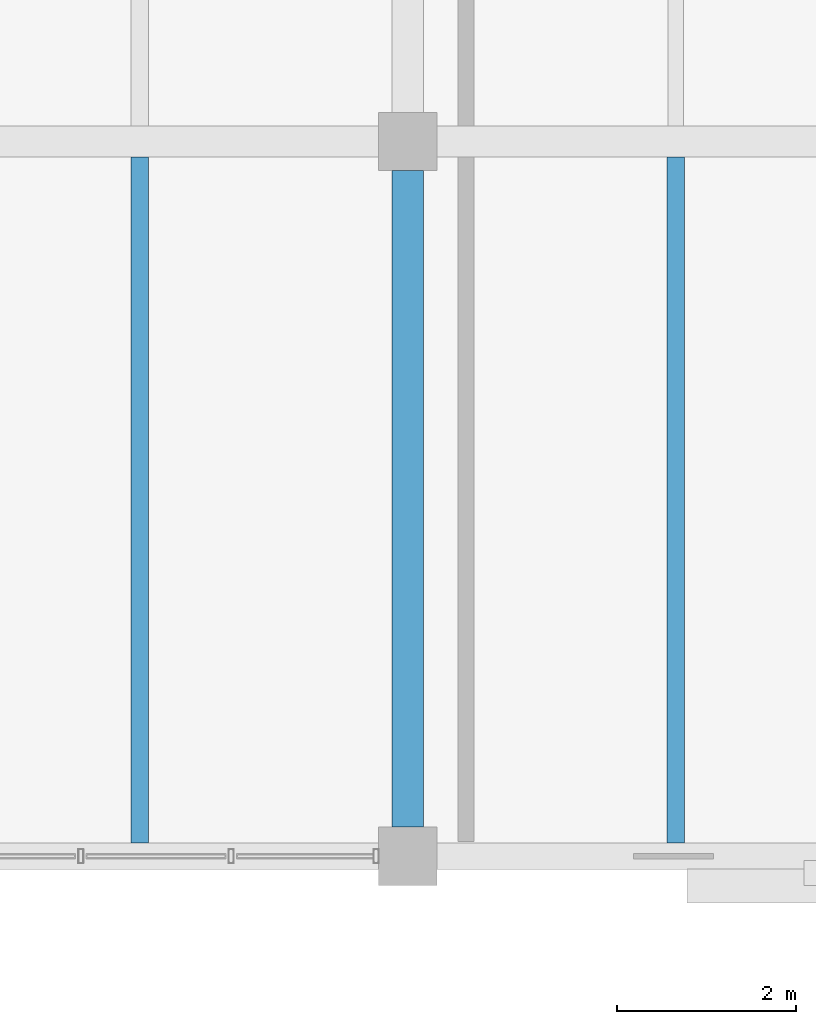
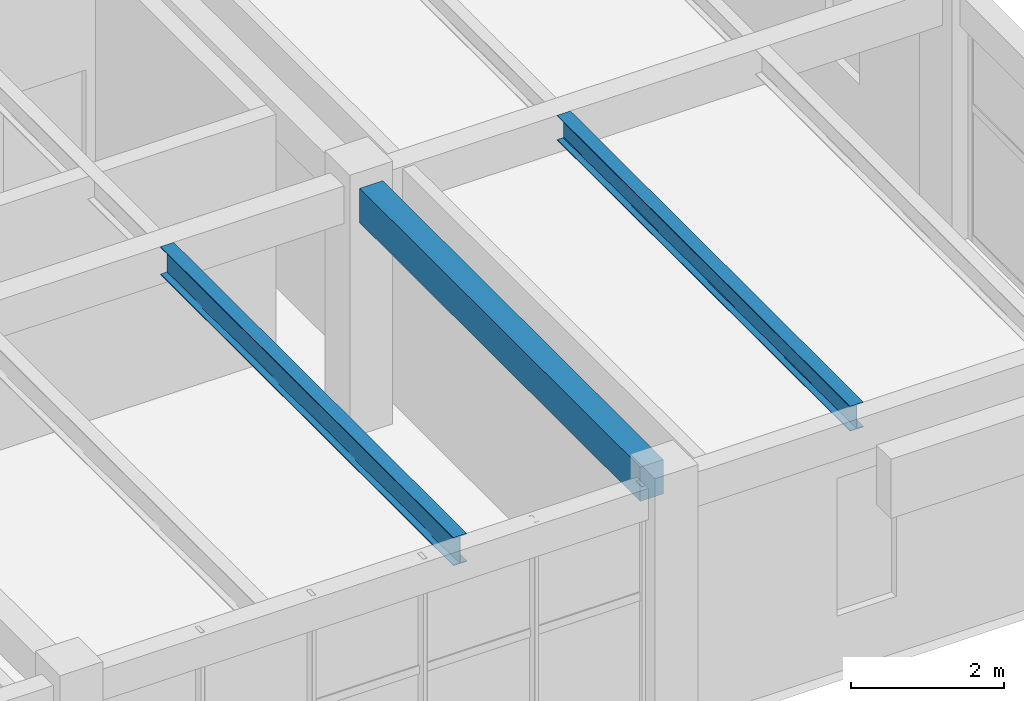
# One storey, part 18 of 71: 3 beams.
"""IFC4 building model written with IfcOpenShell, lengths in metres."""

from ifc_helpers import new_model, si_unit, derived_unit, direction, frame, origin, origin_2d, place, context, subcontext, project, spatial, rectangle, i_section, extrude, material, material_profile, profile_set, type_object, element, save


model = new_model("IFC4")

# Units and contexts
model_context = context("Model", 3, precision=1e-05, world=origin(), true_north=direction((0.0, 1.0)))
body_context = subcontext(model_context, "Body", "Model", "MODEL_VIEW")
ifc_project = project(units=[si_unit("LENGTHUNIT", "METRE"), si_unit("AREAUNIT", "SQUARE_METRE"), si_unit("VOLUMEUNIT", "CUBIC_METRE"), si_unit("PLANEANGLEUNIT", "RADIAN"), si_unit("MASSUNIT", "GRAM", prefix="KILO"), derived_unit("THERMALTRANSMITTANCEUNIT", [(si_unit("MASSUNIT", "GRAM", prefix="KILO"), 1), (si_unit("TIMEUNIT", "SECOND"), -3), (si_unit("THERMODYNAMICTEMPERATUREUNIT", "KELVIN"), -1)])], contexts=[model_context])

# Site, building, storey
site_placement = place(None, origin())
site = spatial("IfcSite", under=ifc_project, at=site_placement, CompositionType="ELEMENT")
building_placement = place(site_placement, origin())
building = spatial("IfcBuilding", under=site, at=building_placement, Name="Zhenchuan Archway Interchange", CompositionType="ELEMENT")
storey_placement = place(building_placement, frame((0.0, 0.0, 18.60009765625)))
storey = spatial("IfcBuildingStorey", under=building, at=storey_placement, Name="L04", CompositionType="ELEMENT", Elevation=18.60009765625)

# Beams
ifc_material_1 = material(Name="Concrete C40", Category="concrete")
ifc_material_profile_1 = material_profile(ifc_material_1, rectangle(XDim=0.35009765625, YDim=0.550048828125, at=origin_2d()), Name="RC 350x550")
ifc_profile_set_1 = profile_set([ifc_material_profile_1], Name="Concrete C40")
beam_type_1 = type_object("IfcBeamType", Name="BM_RC_350x550", PredefinedType="BEAM", material=ifc_profile_set_1)
beam_1_placement = place(storey_placement, frame((162.0, 8.324951171875, 3.664794921875), z_axis=(0.0, 1.0, 0.0), x_axis=(-1.0, 0.0, 0.0)))
element("IfcBeam", 1, at=beam_1_placement, inside=storey, type_object=beam_type_1, Name="Beam 19:B-C (L04)", PredefinedType="BEAM", context=body_context, shape_type="SweptSolid", body=[
    extrude(rectangle(XDim=0.35009765625, YDim=0.550048828125, at=origin_2d()), origin(), (0.0, 0.0, 1.0), 7.35009765625),
])
ifc_material_2 = material(Name="Steel Q355", Category="steel")
ifc_material_profile_2 = material_profile(ifc_material_2, i_section(OverallWidth=0.199951171875, OverallDepth=0.39990234375, WebThickness=0.008056640625, FlangeThickness=0.012939453125, FilletRadius=0.01611328125, at=origin_2d()), Name="HN 400x200")
ifc_profile_set_2 = profile_set([ifc_material_profile_2], Name="Steel Q355")
beam_type_2 = type_object("IfcBeamType", Name="JST_STL_HN400", PredefinedType="JOIST", material=ifc_profile_set_2)
beam_2_placement = place(storey_placement, frame((165.0, 8.14990234375, 3.739990234375), z_axis=(0.0, 1.0, 0.0), x_axis=(-1.0, 0.0, 0.0)))
element("IfcBeam", 2, at=beam_2_placement, inside=storey, type_object=beam_type_2, Name="Secondary joist 19-20/B-C #1 (L04)", PredefinedType="JOIST", context=body_context, shape_type="SweptSolid", body=[
    extrude(i_section(OverallWidth=0.199951171875, OverallDepth=0.39990234375, WebThickness=0.008056640625, FlangeThickness=0.012939453125, FilletRadius=0.01611328125, at=origin_2d()), origin(), (0.0, 0.0, 1.0), 7.675048828125),
])
ifc_material_profile_3 = material_profile(ifc_material_2, i_section(OverallWidth=0.199951171875, OverallDepth=0.449951171875, WebThickness=0.009033203125, FlangeThickness=0.013916015625, FilletRadius=0.01806640625, at=origin_2d()), Name="HN 450x200")
ifc_profile_set_3 = profile_set([ifc_material_profile_3], Name="Steel Q355")
beam_type_3 = type_object("IfcBeamType", Name="JST_STL_HN450", PredefinedType="JOIST", material=ifc_profile_set_3)
beam_3_placement = place(storey_placement, frame((159.0, 8.14990234375, 3.71484375), z_axis=(0.0, 1.0, 0.0), x_axis=(-1.0, 0.0, 0.0)))
element("IfcBeam", 3, at=beam_3_placement, inside=storey, type_object=beam_type_3, Name="Secondary joist 18-19/B-C #2 (L04)", PredefinedType="JOIST", context=body_context, shape_type="SweptSolid", body=[
    extrude(i_section(OverallWidth=0.199951171875, OverallDepth=0.449951171875, WebThickness=0.009033203125, FlangeThickness=0.013916015625, FilletRadius=0.01806640625, at=origin_2d()), origin(), (0.0, 0.0, 1.0), 7.675048828125),
])

save(model, "model.ifc")
